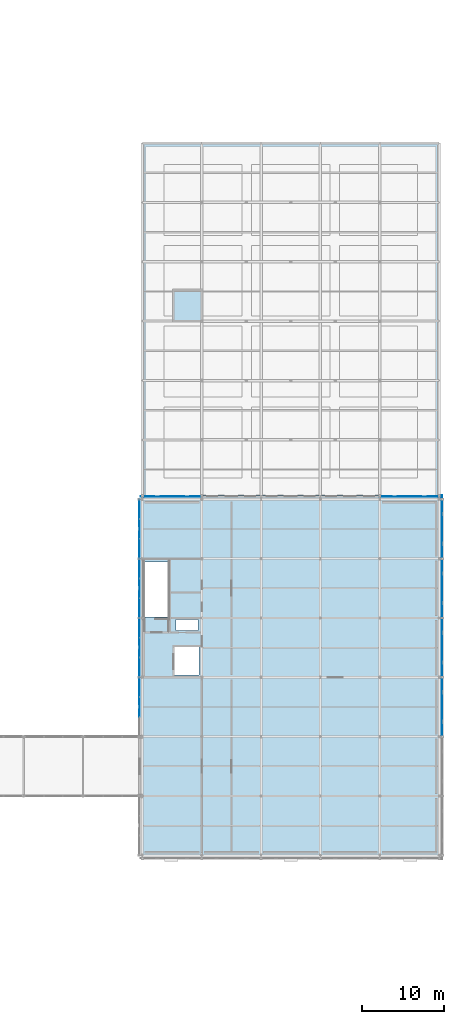
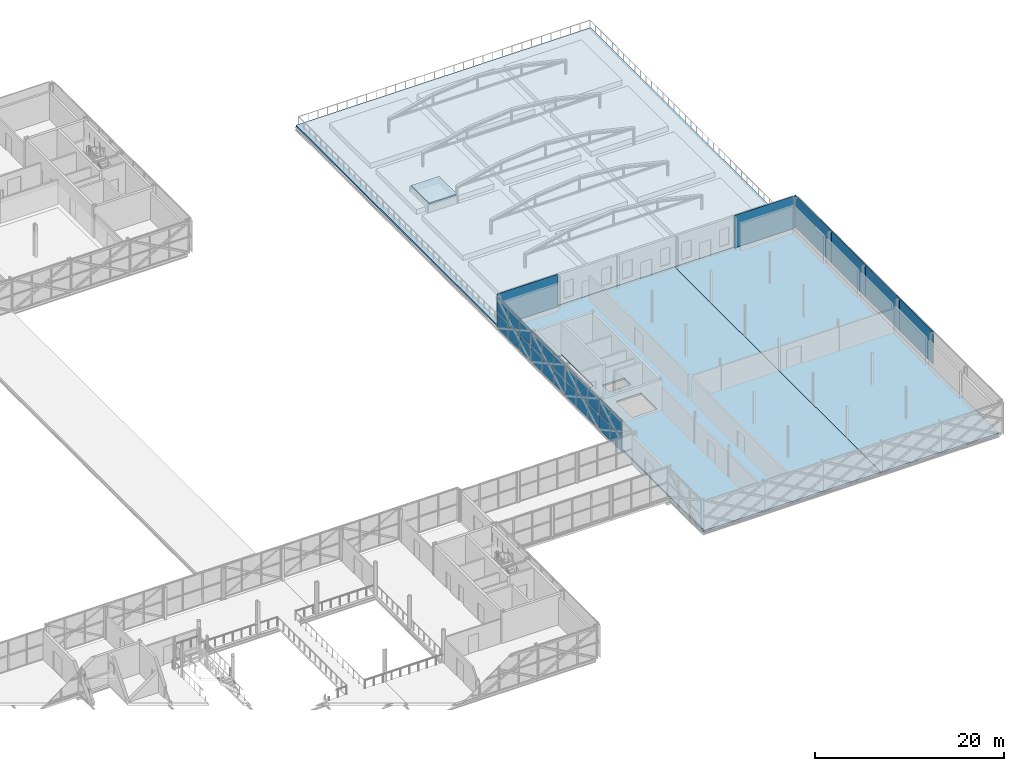
# One storey, part 82 of 126: 28 plates, 4 slabs, 4 elements without a shape of their own.
"""IFC4 building model written with IfcOpenShell, lengths in metres."""

from ifc_helpers import new_model, si_unit, direction, frame, origin, origin_2d, place, context, subcontext, project, spatial, polyline, rectangle, outline, extrude, material, layer, layer_set, type_object, element, aggregate, save


model = new_model("IFC4")

# Units and contexts
model_context = context("Model", 3, precision=1e-05, world=origin(), true_north=direction((0.0, 1.0)))
body_context = subcontext(model_context, "Body", "Model", "MODEL_VIEW")
ifc_project = project(units=[si_unit("LENGTHUNIT", "METRE"), si_unit("AREAUNIT", "SQUARE_METRE"), si_unit("VOLUMEUNIT", "CUBIC_METRE"), si_unit("PLANEANGLEUNIT", "RADIAN"), si_unit("MASSUNIT", "GRAM", prefix="KILO")], contexts=[model_context])

# Site, building, storey
site_placement = place(None, origin())
site = spatial("IfcSite", under=ifc_project, at=site_placement, CompositionType="ELEMENT")
building_placement = place(site_placement, origin())
building = spatial("IfcBuilding", under=site, at=building_placement, Name="Zlatovets Crest Museum", CompositionType="ELEMENT")
storey_placement = place(building_placement, frame((0.0, 0.0, 8.699951171875)))
storey = spatial("IfcBuildingStorey", under=building, at=storey_placement, Name="L02", CompositionType="ELEMENT", Elevation=8.699951171875)

# Curtain wall, plates
ifc_material_1 = material(Name="Bronze-anodised aluminium and low-E triple glass", Category="aluminium")
curtain_wall_type_1 = type_object("IfcCurtainWallType", Name="CW_CW-V5-L02-M0", PredefinedType="NOTDEFINED", material=ifc_material_1)
curtain_wall_1_placement = place(storey_placement, origin())
curtain_wall_1 = element("IfcCurtainWall", 1, at=curtain_wall_1_placement, inside=storey, type_object=curtain_wall_type_1, Name="V5 L02 Secession Foyer Clear Curtain Wall", PredefinedType="NOTDEFINED")
ifc_material_2 = material(Name="Solar-control low-E laminated triple glass", Category="glass")
ifc_layer_1 = layer(ifc_material_2, 0.028076171875)
ifc_layer_set_1 = layer_set([ifc_layer_1], Name="Solar-control low-E laminated triple glass")
plate_type_1 = type_object("IfcPlateType", Name="CWPanel_CW-V5-L02-M0", PredefinedType="CURTAIN_PANEL", material=ifc_layer_set_1)
plate_1_placement = place(storey_placement, frame((129.260009765625, 56.385009765625, 0.06005859375), z_axis=(0.0, 0.0, 1.0), x_axis=(0.0, -1.0, 0.0)))
plate_1 = element("IfcPlate", 2, at=plate_1_placement, type_object=plate_type_1, Name="CW-V5-L02-M0 panel 1.1", PredefinedType="CURTAIN_PANEL", context=body_context, shape_type="SweptSolid", body=[
    extrude(rectangle(XDim=2.31005859375, YDim=0.028076171875, at=origin_2d()), origin(), (0.0, 0.0, 1.0), 2.010009765625),
])
plate_2_placement = place(storey_placement, frame((129.260009765625, 56.385009765625, 2.1298828125), z_axis=(0.0, 0.0, 1.0), x_axis=(0.0, -1.0, 0.0)))
plate_2 = element("IfcPlate", 3, at=plate_2_placement, type_object=plate_type_1, Name="CW-V5-L02-M0 panel 1.2", PredefinedType="CURTAIN_PANEL", context=body_context, shape_type="SweptSolid", body=[
    extrude(rectangle(XDim=2.31005859375, YDim=0.028076171875, at=origin_2d()), origin(), (0.0, 0.0, 1.0), 2.010009765625),
])
plate_3_placement = place(storey_placement, frame((129.260009765625, 54.0, 0.06005859375), z_axis=(0.0, 0.0, 1.0), x_axis=(0.0, -1.0, 0.0)))
plate_3 = element("IfcPlate", 4, at=plate_3_placement, type_object=plate_type_1, Name="CW-V5-L02-M0 panel 2.1", PredefinedType="CURTAIN_PANEL", context=body_context, shape_type="SweptSolid", body=[
    extrude(rectangle(XDim=2.340087890625, YDim=0.028076171875, at=origin_2d()), origin(), (0.0, 0.0, 1.0), 2.010009765625),
])
plate_4_placement = place(storey_placement, frame((129.260009765625, 54.0, 2.1298828125), z_axis=(0.0, 0.0, 1.0), x_axis=(0.0, -1.0, 0.0)))
plate_4 = element("IfcPlate", 5, at=plate_4_placement, type_object=plate_type_1, Name="CW-V5-L02-M0 panel 2.2", PredefinedType="CURTAIN_PANEL", context=body_context, shape_type="SweptSolid", body=[
    extrude(rectangle(XDim=2.340087890625, YDim=0.028076171875, at=origin_2d()), origin(), (0.0, 0.0, 1.0), 2.010009765625),
])
plate_5_placement = place(storey_placement, frame((129.260009765625, 51.614990234375, 0.06005859375), z_axis=(0.0, 0.0, 1.0), x_axis=(0.0, -1.0, 0.0)))
plate_5 = element("IfcPlate", 6, at=plate_5_placement, type_object=plate_type_1, Name="CW-V5-L02-M0 panel 3.1", PredefinedType="CURTAIN_PANEL", context=body_context, shape_type="SweptSolid", body=[
    extrude(rectangle(XDim=2.31005859375, YDim=0.028076171875, at=origin_2d()), origin(), (0.0, 0.0, 1.0), 2.010009765625),
])
plate_6_placement = place(storey_placement, frame((129.260009765625, 51.614990234375, 2.1298828125), z_axis=(0.0, 0.0, 1.0), x_axis=(0.0, -1.0, 0.0)))
plate_6 = element("IfcPlate", 7, at=plate_6_placement, type_object=plate_type_1, Name="CW-V5-L02-M0 panel 3.2", PredefinedType="CURTAIN_PANEL", context=body_context, shape_type="SweptSolid", body=[
    extrude(rectangle(XDim=2.31005859375, YDim=0.028076171875, at=origin_2d()), origin(), (0.0, 0.0, 1.0), 2.010009765625),
])
aggregate(curtain_wall_1, [plate_1, plate_2, plate_3, plate_4, plate_5, plate_6])

curtain_wall_type_2 = type_object("IfcCurtainWallType", Name="CW_CW-V5-L02-M1", PredefinedType="NOTDEFINED", material=ifc_material_1)
curtain_wall_2_placement = place(storey_placement, origin())
curtain_wall_2 = element("IfcCurtainWall", 8, at=curtain_wall_2_placement, inside=storey, type_object=curtain_wall_type_2, Name="V5 L02 Expressed Core Glazed Facade", PredefinedType="NOTDEFINED")
ifc_layer_2 = layer(ifc_material_2, 0.030029296875)
ifc_layer_set_2 = layer_set([ifc_layer_2], Name="Solar-control low-E laminated triple glass")
plate_type_2 = type_object("IfcPlateType", Name="CWPanel_CW-V5-L02-M1", PredefinedType="CURTAIN_PANEL", material=ifc_layer_set_2)
plate_7_placement = place(storey_placement, frame((129.260009765625, 49.18505859375, 0.06005859375), z_axis=(0.0, 0.0, 1.0), x_axis=(0.0, -1.0, 0.0)))
plate_7 = element("IfcPlate", 9, at=plate_7_placement, type_object=plate_type_2, Name="CW-V5-L02-M1 panel 1.1", PredefinedType="CURTAIN_PANEL", context=body_context, shape_type="SweptSolid", body=[
    extrude(rectangle(XDim=2.31005859375, YDim=0.030029296875, at=origin_2d()), origin(), (0.0, 0.0, 1.0), 2.010009765625),
])
plate_8_placement = place(storey_placement, frame((129.260009765625, 49.18505859375, 2.1298828125), z_axis=(0.0, 0.0, 1.0), x_axis=(0.0, -1.0, 0.0)))
plate_8 = element("IfcPlate", 10, at=plate_8_placement, type_object=plate_type_2, Name="CW-V5-L02-M1 panel 1.2", PredefinedType="CURTAIN_PANEL", context=body_context, shape_type="SweptSolid", body=[
    extrude(rectangle(XDim=2.31005859375, YDim=0.030029296875, at=origin_2d()), origin(), (0.0, 0.0, 1.0), 2.010009765625),
])
plate_9_placement = place(storey_placement, frame((129.260009765625, 46.800048828125, 0.06005859375), z_axis=(0.0, 0.0, 1.0), x_axis=(0.0, -1.0, 0.0)))
plate_9 = element("IfcPlate", 11, at=plate_9_placement, type_object=plate_type_2, Name="CW-V5-L02-M1 panel 2.1", PredefinedType="CURTAIN_PANEL", context=body_context, shape_type="SweptSolid", body=[
    extrude(rectangle(XDim=2.340087890625, YDim=0.030029296875, at=origin_2d()), origin(), (0.0, 0.0, 1.0), 2.010009765625),
])
plate_10_placement = place(storey_placement, frame((129.260009765625, 46.800048828125, 2.1298828125), z_axis=(0.0, 0.0, 1.0), x_axis=(0.0, -1.0, 0.0)))
plate_10 = element("IfcPlate", 12, at=plate_10_placement, type_object=plate_type_2, Name="CW-V5-L02-M1 panel 2.2", PredefinedType="CURTAIN_PANEL", context=body_context, shape_type="SweptSolid", body=[
    extrude(rectangle(XDim=2.340087890625, YDim=0.030029296875, at=origin_2d()), origin(), (0.0, 0.0, 1.0), 2.010009765625),
])
plate_11_placement = place(storey_placement, frame((129.260009765625, 44.4150390625, 0.06005859375), z_axis=(0.0, 0.0, 1.0), x_axis=(0.0, -1.0, 0.0)))
plate_11 = element("IfcPlate", 13, at=plate_11_placement, type_object=plate_type_2, Name="CW-V5-L02-M1 panel 3.1", PredefinedType="CURTAIN_PANEL", context=body_context, shape_type="SweptSolid", body=[
    extrude(rectangle(XDim=2.31005859375, YDim=0.030029296875, at=origin_2d()), origin(), (0.0, 0.0, 1.0), 2.010009765625),
])
plate_12_placement = place(storey_placement, frame((129.260009765625, 44.4150390625, 2.1298828125), z_axis=(0.0, 0.0, 1.0), x_axis=(0.0, -1.0, 0.0)))
plate_12 = element("IfcPlate", 14, at=plate_12_placement, type_object=plate_type_2, Name="CW-V5-L02-M1 panel 3.2", PredefinedType="CURTAIN_PANEL", context=body_context, shape_type="SweptSolid", body=[
    extrude(rectangle(XDim=2.31005859375, YDim=0.030029296875, at=origin_2d()), origin(), (0.0, 0.0, 1.0), 2.010009765625),
])
aggregate(curtain_wall_2, [plate_7, plate_8, plate_9, plate_10, plate_11, plate_12])

curtain_wall_type_3 = type_object("IfcCurtainWallType", Name="CW_CW-V5-L02-M2", PredefinedType="NOTDEFINED", material=ifc_material_1)
curtain_wall_3_placement = place(storey_placement, origin())
curtain_wall_3 = element("IfcCurtainWall", 15, at=curtain_wall_3_placement, inside=storey, type_object=curtain_wall_type_3, Name="V5 L02 Expressed Core Glazed Facade", PredefinedType="NOTDEFINED")
ifc_layer_3 = layer(ifc_material_2, 0.030029296875)
ifc_layer_set_3 = layer_set([ifc_layer_3], Name="Solar-control low-E laminated triple glass")
plate_type_3 = type_object("IfcPlateType", Name="CWPanel_CW-V5-L02-M2", PredefinedType="CURTAIN_PANEL", material=ifc_layer_set_3)
plate_13_placement = place(storey_placement, frame((129.260009765625, 41.985107421875, 0.06005859375), z_axis=(0.0, 0.0, 1.0), x_axis=(0.0, -1.0, 0.0)))
plate_13 = element("IfcPlate", 16, at=plate_13_placement, type_object=plate_type_3, Name="CW-V5-L02-M2 panel 1.1", PredefinedType="CURTAIN_PANEL", context=body_context, shape_type="SweptSolid", body=[
    extrude(rectangle(XDim=2.31005859375, YDim=0.030029296875, at=origin_2d()), origin(), (0.0, 0.0, 1.0), 2.010009765625),
])
plate_14_placement = place(storey_placement, frame((129.260009765625, 41.985107421875, 2.1298828125), z_axis=(0.0, 0.0, 1.0), x_axis=(0.0, -1.0, 0.0)))
plate_14 = element("IfcPlate", 17, at=plate_14_placement, type_object=plate_type_3, Name="CW-V5-L02-M2 panel 1.2", PredefinedType="CURTAIN_PANEL", context=body_context, shape_type="SweptSolid", body=[
    extrude(rectangle(XDim=2.31005859375, YDim=0.030029296875, at=origin_2d()), origin(), (0.0, 0.0, 1.0), 2.010009765625),
])
plate_15_placement = place(storey_placement, frame((129.260009765625, 39.60009765625, 0.06005859375), z_axis=(0.0, 0.0, 1.0), x_axis=(0.0, -1.0, 0.0)))
plate_15 = element("IfcPlate", 18, at=plate_15_placement, type_object=plate_type_3, Name="CW-V5-L02-M2 panel 2.1", PredefinedType="CURTAIN_PANEL", context=body_context, shape_type="SweptSolid", body=[
    extrude(rectangle(XDim=2.340087890625, YDim=0.030029296875, at=origin_2d()), origin(), (0.0, 0.0, 1.0), 2.010009765625),
])
plate_16_placement = place(storey_placement, frame((129.260009765625, 39.60009765625, 2.1298828125), z_axis=(0.0, 0.0, 1.0), x_axis=(0.0, -1.0, 0.0)))
plate_16 = element("IfcPlate", 19, at=plate_16_placement, type_object=plate_type_3, Name="CW-V5-L02-M2 panel 2.2", PredefinedType="CURTAIN_PANEL", context=body_context, shape_type="SweptSolid", body=[
    extrude(rectangle(XDim=2.340087890625, YDim=0.030029296875, at=origin_2d()), origin(), (0.0, 0.0, 1.0), 2.010009765625),
])
plate_17_placement = place(storey_placement, frame((129.260009765625, 37.215087890625, 0.06005859375), z_axis=(0.0, 0.0, 1.0), x_axis=(0.0, -1.0, 0.0)))
plate_17 = element("IfcPlate", 20, at=plate_17_placement, type_object=plate_type_3, Name="CW-V5-L02-M2 panel 3.1", PredefinedType="CURTAIN_PANEL", context=body_context, shape_type="SweptSolid", body=[
    extrude(rectangle(XDim=2.31005859375, YDim=0.030029296875, at=origin_2d()), origin(), (0.0, 0.0, 1.0), 2.010009765625),
])
plate_18_placement = place(storey_placement, frame((129.260009765625, 37.215087890625, 2.1298828125), z_axis=(0.0, 0.0, 1.0), x_axis=(0.0, -1.0, 0.0)))
plate_18 = element("IfcPlate", 21, at=plate_18_placement, type_object=plate_type_3, Name="CW-V5-L02-M2 panel 3.2", PredefinedType="CURTAIN_PANEL", context=body_context, shape_type="SweptSolid", body=[
    extrude(rectangle(XDim=2.31005859375, YDim=0.030029296875, at=origin_2d()), origin(), (0.0, 0.0, 1.0), 2.010009765625),
])
aggregate(curtain_wall_3, [plate_13, plate_14, plate_15, plate_16, plate_17, plate_18])

curtain_wall_type_4 = type_object("IfcCurtainWallType", Name="CW_CW-V5-L02-M3", PredefinedType="NOTDEFINED", material=ifc_material_1)
curtain_wall_4_placement = place(storey_placement, origin())
curtain_wall_4 = element("IfcCurtainWall", 22, at=curtain_wall_4_placement, inside=storey, type_object=curtain_wall_type_4, Name="V5 L02 Secession Foyer Clear Curtain Wall", PredefinedType="NOTDEFINED")
ifc_layer_4 = layer(ifc_material_2, 0.0400390625)
ifc_layer_set_4 = layer_set([ifc_layer_4], Name="Solar-control low-E laminated triple glass")
plate_type_4 = type_object("IfcPlateType", Name="CWPanel_CW-V5-L02-M3", PredefinedType="CURTAIN_PANEL", material=ifc_layer_set_4)
plate_19_placement = place(storey_placement, frame((129.260009765625, 34.784912109375, 0.06005859375), z_axis=(0.0, 0.0, 1.0), x_axis=(0.0, -1.0, 0.0)))
plate_19 = element("IfcPlate", 23, at=plate_19_placement, type_object=plate_type_4, Name="CW-V5-L02-M3 panel 1.1", PredefinedType="CURTAIN_PANEL", context=body_context, shape_type="SweptSolid", body=[
    extrude(rectangle(XDim=2.31005859375, YDim=0.0400390625, at=origin_2d()), origin(), (0.0, 0.0, 1.0), 2.010009765625),
])
plate_20_placement = place(storey_placement, frame((129.260009765625, 34.784912109375, 2.1298828125), z_axis=(0.0, 0.0, 1.0), x_axis=(0.0, -1.0, 0.0)))
plate_20 = element("IfcPlate", 24, at=plate_20_placement, type_object=plate_type_4, Name="CW-V5-L02-M3 panel 1.2", PredefinedType="CURTAIN_PANEL", context=body_context, shape_type="SweptSolid", body=[
    extrude(rectangle(XDim=2.31005859375, YDim=0.0400390625, at=origin_2d()), origin(), (0.0, 0.0, 1.0), 2.010009765625),
])
plate_21_placement = place(storey_placement, frame((129.260009765625, 32.39990234375, 0.06005859375), z_axis=(0.0, 0.0, 1.0), x_axis=(0.0, -1.0, 0.0)))
plate_21 = element("IfcPlate", 25, at=plate_21_placement, type_object=plate_type_4, Name="CW-V5-L02-M3 panel 2.1", PredefinedType="CURTAIN_PANEL", context=body_context, shape_type="SweptSolid", body=[
    extrude(rectangle(XDim=2.340087890625, YDim=0.0400390625, at=origin_2d()), origin(), (0.0, 0.0, 1.0), 2.010009765625),
])
plate_22_placement = place(storey_placement, frame((129.260009765625, 32.39990234375, 2.1298828125), z_axis=(0.0, 0.0, 1.0), x_axis=(0.0, -1.0, 0.0)))
plate_22 = element("IfcPlate", 26, at=plate_22_placement, type_object=plate_type_4, Name="CW-V5-L02-M3 panel 2.2", PredefinedType="CURTAIN_PANEL", context=body_context, shape_type="SweptSolid", body=[
    extrude(rectangle(XDim=2.340087890625, YDim=0.0400390625, at=origin_2d()), origin(), (0.0, 0.0, 1.0), 2.010009765625),
])
aggregate(curtain_wall_4, [plate_19, plate_20, plate_21, plate_22])

# Plates
ifc_material_3 = material(Name="Ceramic-fritted low-E laminated architectural glass", Category="glass")
ifc_layer_5 = layer(ifc_material_3, 0.031982421875)
ifc_layer_set_5 = layer_set([ifc_layer_5], Name="Ceramic-fritted low-E laminated architectural glass")
plate_type_5 = type_object("IfcPlateType", Name="GlazedSpandrel_GSP1", PredefinedType="USERDEFINED", material=ifc_layer_set_5)
for number, where, z_axis, x_axis, name in (
    (27, (165.93994140625, 32.39990234375, 0.0), (0.0, 0.0, 1.0), (0.0, 1.0, 0.0), "V5 L02 Ceramic-Fritted Gallery Glass Skin"),
    (28, (165.93994140625, 39.60009765625, 0.0), (0.0, 0.0, 1.0), (0.0, 1.0, 0.0), "V5 L02 Ceramic-Fritted Gallery Glass Skin"),
    (29, (165.93994140625, 46.800048828125, 0.0), (0.0, 0.0, 1.0), (0.0, 1.0, 0.0), "V5 L02 Ceramic-Fritted Gallery Glass Skin"),
):
    element("IfcPlate", number, at=place(storey_placement, frame(where, z_axis=z_axis, x_axis=x_axis)), inside=storey, type_object=plate_type_5, Name=name, ObjectType="GLAZED_SPANDREL", PredefinedType="USERDEFINED", context=body_context, shape_type="SweptSolid", body=[
        extrude(rectangle(XDim=7.199951171875, YDim=0.031982421875, at=origin_2d()), origin(), (0.0, 0.0, 1.0), 4.199951171875),
    ])
plate_23_placement = place(storey_placement, frame((165.93994140625, 54.239990234375, 0.0), z_axis=(0.0, 0.0, 1.0), x_axis=(0.0, 1.0, 0.0)))
element("IfcPlate", 30, at=plate_23_placement, inside=storey, type_object=plate_type_5, Name="V5 L02 Ceramic-Fritted Gallery Glass Skin", ObjectType="GLAZED_SPANDREL", PredefinedType="USERDEFINED", context=body_context, shape_type="SweptSolid", body=[
    extrude(rectangle(XDim=7.679931640625, YDim=0.031982421875, at=origin_2d()), origin(), (0.0, 0.0, 1.0), 4.199951171875),
])
for number, where, z_axis, x_axis, name in (
    (31, (162.10009765625, 57.93994140625, 0.0), (0.0, 0.0, 1.0), (1.0, 0.0, 0.0), "V5 L02 Ceramic-Fritted Gallery Glass Skin"),
    (32, (133.10009765625, 57.93994140625, 0.0), (0.0, 0.0, 1.0), (1.0, 0.0, 0.0), "V5 L02 Ceramic-Fritted Gallery Glass Skin"),
):
    element("IfcPlate", number, at=place(storey_placement, frame(where, z_axis=z_axis, x_axis=x_axis)), inside=storey, type_object=plate_type_5, Name=name, ObjectType="GLAZED_SPANDREL", PredefinedType="USERDEFINED", context=body_context, shape_type="SweptSolid", body=[
        extrude(rectangle(XDim=7.39990234375, YDim=0.031982421875, at=origin_2d()), origin(), (0.0, 0.0, 1.0), 4.199951171875),
    ])

# Slabs
ifc_material_4 = material(Name="Concrete C30/37", Category="concrete")
ifc_layer_6 = layer(ifc_material_4, 0.219970703125)
ifc_layer_set_6 = layer_set([ifc_layer_6], Name="Concrete C30/37")
slab_type_1 = type_object("IfcSlabType", Name="Slab_FS-02", PredefinedType="FLOOR", material=ifc_layer_set_6)
slab_1_placement = place(storey_placement, frame((0.0, 0.0, -0.219970703125)))
element("IfcSlab", 33, at=slab_1_placement, inside=storey, type_object=slab_type_1, Name="V5 L02 Structural Slab Panel 1", PredefinedType="FLOOR", context=body_context, shape_type="SweptSolid", body=[
    extrude(outline(polyline([(151.199951171875, 58.10009765625), (151.199951171875, 14.39990234375), (129.60009765625, 14.39990234375), (129.60009765625, 57.60009765625), (129.60009765625, 58.10009765625), (151.199951171875, 58.10009765625)]), holes=[polyline([(129.800048828125, 43.340087890625), (132.800048828125, 43.340087890625), (132.800048828125, 50.0), (129.800048828125, 50.0), (129.800048828125, 43.340087890625)]), polyline([(133.449951171875, 39.699951171875), (133.449951171875, 36.300048828125), (136.5, 36.300048828125), (136.5, 39.699951171875), (133.449951171875, 39.699951171875)]), polyline([(136.35009765625, 43.0), (133.699951171875, 43.0), (133.699951171875, 41.64990234375), (136.35009765625, 41.64990234375), (136.35009765625, 43.0)])]), origin(), (0.0, 0.0, 1.0), 0.219970703125),
])
slab_2_placement = place(storey_placement, frame((0.0, 0.0, -0.219970703125)))
element("IfcSlab", 34, at=slab_2_placement, inside=storey, type_object=slab_type_1, Name="V5 L02 Structural Slab Panel 2", PredefinedType="FLOOR", context=body_context, shape_type="SweptSolid", body=[
    extrude(outline(polyline([(165.60009765625, 57.60009765625), (165.60009765625, 14.39990234375), (151.199951171875, 14.39990234375), (151.199951171875, 58.10009765625), (165.60009765625, 58.10009765625), (165.60009765625, 57.60009765625)])), origin(), (0.0, 0.0, 1.0), 0.219970703125),
])
ifc_layer_7 = layer(ifc_material_4, 0.179931640625)
ifc_layer_set_7 = layer_set([ifc_layer_7], Name="Concrete C30/37")
slab_type_2 = type_object("IfcSlabType", Name="Slab_RS-05", PredefinedType="ROOF", material=ifc_layer_set_7)
slab_3_placement = place(storey_placement, frame((0.0, 0.0, 1.5)))
element("IfcSlab", 35, at=slab_3_placement, inside=storey, type_object=slab_type_2, Name="Lift PL4 Overrun Roof Slab", PredefinedType="ROOF", context=body_context, shape_type="SweptSolid", body=[
    extrude(outline(polyline([(133.39990234375, 79.199951171875), (136.800048828125, 79.199951171875), (136.800048828125, 83.0), (133.39990234375, 83.0), (133.39990234375, 79.199951171875)])), origin(), (0.0, 0.0, 1.0), 0.179931640625),
])
ifc_layer_8 = layer(ifc_material_4, 0.219970703125)
ifc_layer_set_8 = layer_set([ifc_layer_8], Name="Concrete C30/37")
slab_type_3 = type_object("IfcSlabType", Name="Slab_TS-02", PredefinedType="FLOOR", material=ifc_layer_set_8)
slab_4_placement = place(storey_placement, frame((0.0, 0.0, -0.219970703125)))
element("IfcSlab", 36, at=slab_4_placement, inside=storey, type_object=slab_type_3, Name="L02 Conservation Wing Planted Roof Garden Slab", PredefinedType="FLOOR", context=body_context, shape_type="SweptSolid", body=[
    extrude(outline(polyline([(165.60009765625, 58.1201171875), (165.60009765625, 100.800048828125), (129.60009765625, 100.800048828125), (129.60009765625, 58.1201171875), (165.60009765625, 58.1201171875)])), origin(), (0.0, 0.0, 1.0), 0.219970703125),
])

save(model, "model.ifc")
